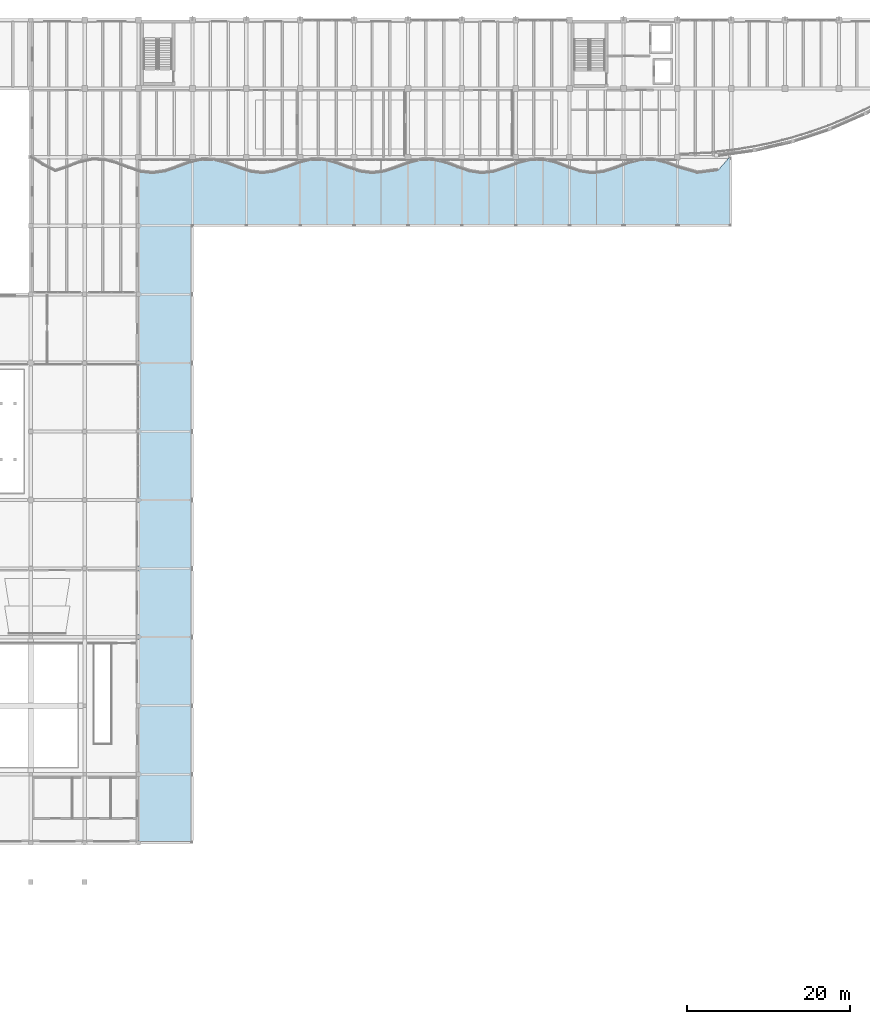
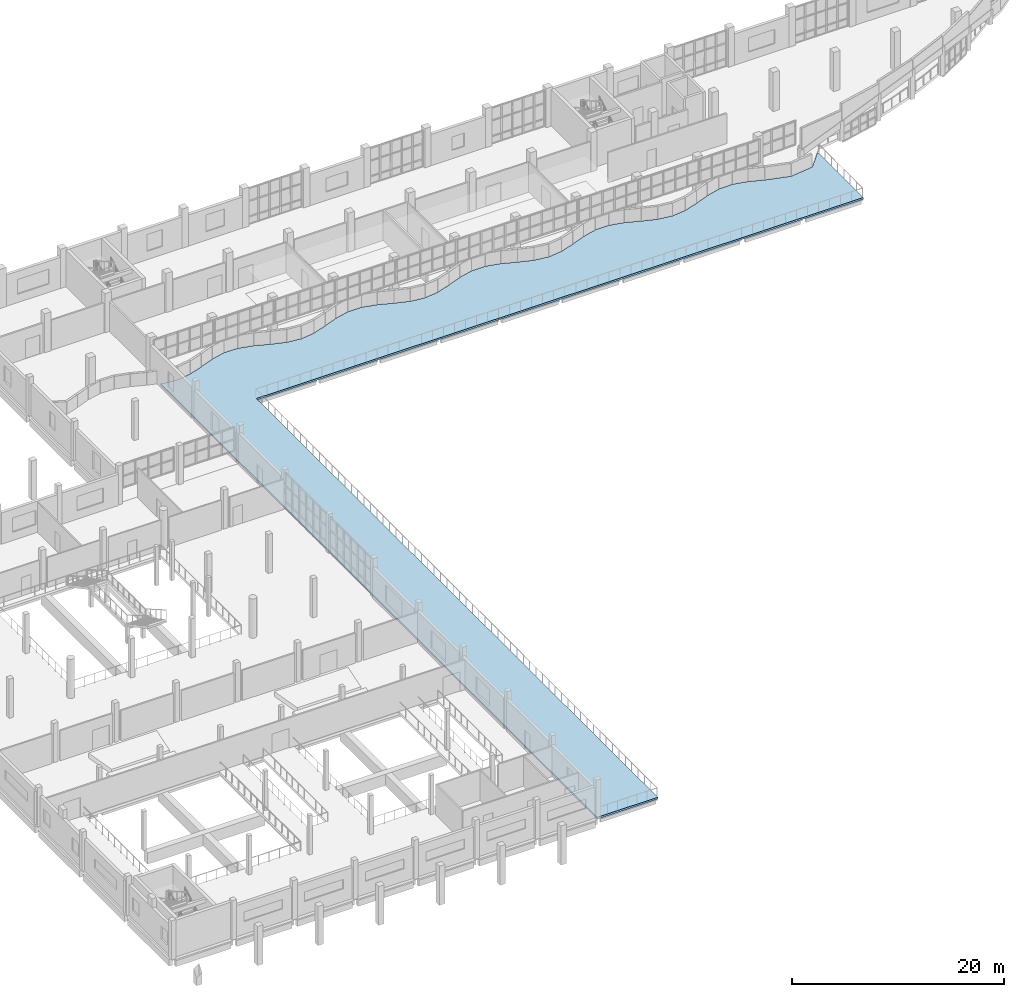
# One storey, part 36 of 83: 1 slab.
"""IFC4 building model written with IfcOpenShell, lengths in metres."""

from ifc_helpers import new_model, si_unit, direction, frame, origin, place, context, subcontext, project, spatial, polyline, outline, extrude, material, layer, layer_set, type_object, element, save


model = new_model("IFC4")

# Units and contexts
model_context = context("Model", 3, precision=1e-05, world=origin(), true_north=direction((0.0, 1.0)))
body_context = subcontext(model_context, "Body", "Model", "MODEL_VIEW")
ifc_project = project(units=[si_unit("LENGTHUNIT", "METRE"), si_unit("AREAUNIT", "SQUARE_METRE"), si_unit("VOLUMEUNIT", "CUBIC_METRE"), si_unit("PLANEANGLEUNIT", "RADIAN"), si_unit("MASSUNIT", "GRAM", prefix="KILO")], contexts=[model_context])

# Site, building, storey
site_placement = place(None, origin())
site = spatial("IfcSite", under=ifc_project, at=site_placement, CompositionType="ELEMENT")
building_placement = place(site_placement, origin())
building = spatial("IfcBuilding", under=site, at=building_placement, Name="Qaldarim Faculty of Natural and Applied Sciences", CompositionType="ELEMENT")
storey_placement = place(building_placement, frame((0.0, 0.0, 5.39990234375)))
storey = spatial("IfcBuildingStorey", under=building, at=storey_placement, Name="L01", CompositionType="ELEMENT", Elevation=5.39990234375)

# Slab
ifc_material = material(Name="Concrete C40/50", Category="concrete")
ifc_layer = layer(ifc_material, 0.199951171875)
ifc_layer_set = layer_set([ifc_layer], Name="Concrete C40/50")
slab_type = type_object("IfcSlabType", Name="ColonnadeDeckSlab-200", PredefinedType="FLOOR", material=ifc_layer_set)
slab_placement = place(storey_placement, frame((0.0, 0.0, -0.199951171875)))
element("IfcSlab", 1, at=slab_placement, inside=storey, type_object=slab_type, Name="Civic square colonnade terrace deck L01-1", PredefinedType="FLOOR", context=body_context, shape_type="SweptSolid", body=[
    extrude(outline(polyline([(46.199951171875, 16.800048828125), (46.199951171875, 99.030029296875), (46.449951171875, 98.949951171875), (47.945068359375, 98.780029296875), (49.445068359375, 99.0048828125), (50.93505859375, 99.52001953125), (52.429931640625, 100.0849609375), (53.919921875, 100.43994140625), (55.409912109375, 100.4150390625), (56.905029296875, 100.030029296875), (58.39990234375, 99.455078125), (59.89501953125, 98.965087890625), (61.389892578125, 98.780029296875), (62.889892578125, 98.9951171875), (64.385009765625, 99.5), (65.8798828125, 100.070068359375), (67.3701171875, 100.43505859375), (68.860107421875, 100.425048828125), (70.35498046875, 100.044921875), (71.85009765625, 99.47509765625), (73.340087890625, 98.97509765625), (74.840087890625, 98.780029296875), (76.340087890625, 98.97998046875), (77.8349609375, 99.47998046875), (79.330078125, 100.050048828125), (80.824951171875, 100.425048828125), (82.31494140625, 100.429931640625), (83.804931640625, 100.06494140625), (85.294921875, 99.4951171875), (86.7900390625, 98.989990234375), (88.2900390625, 98.780029296875), (89.7900390625, 98.965087890625), (91.284912109375, 99.4599609375), (92.780029296875, 100.034912109375), (94.27490234375, 100.419921875), (95.760009765625, 100.43994140625), (97.25, 100.080078125), (98.7451171875, 99.514892578125), (100.239990234375, 99.0), (101.739990234375, 98.780029296875), (103.239990234375, 98.955078125), (104.735107421875, 99.43994140625), (106.22998046875, 100.014892578125), (107.719970703125, 100.409912109375), (109.2099609375, 100.445068359375), (110.699951171875, 100.10009765625), (112.195068359375, 99.534912109375), (114.679931640625, 98.820068359375), (117.155029296875, 99.14501953125), (118.594970703125, 100.800048828125), (118.800048828125, 100.800048828125), (118.800048828125, 92.39990234375), (52.800048828125, 92.39990234375), (52.800048828125, 16.800048828125), (46.199951171875, 16.800048828125)])), origin(), (0.0, 0.0, 1.0), 0.199951171875),
])

save(model, "model.ifc")
